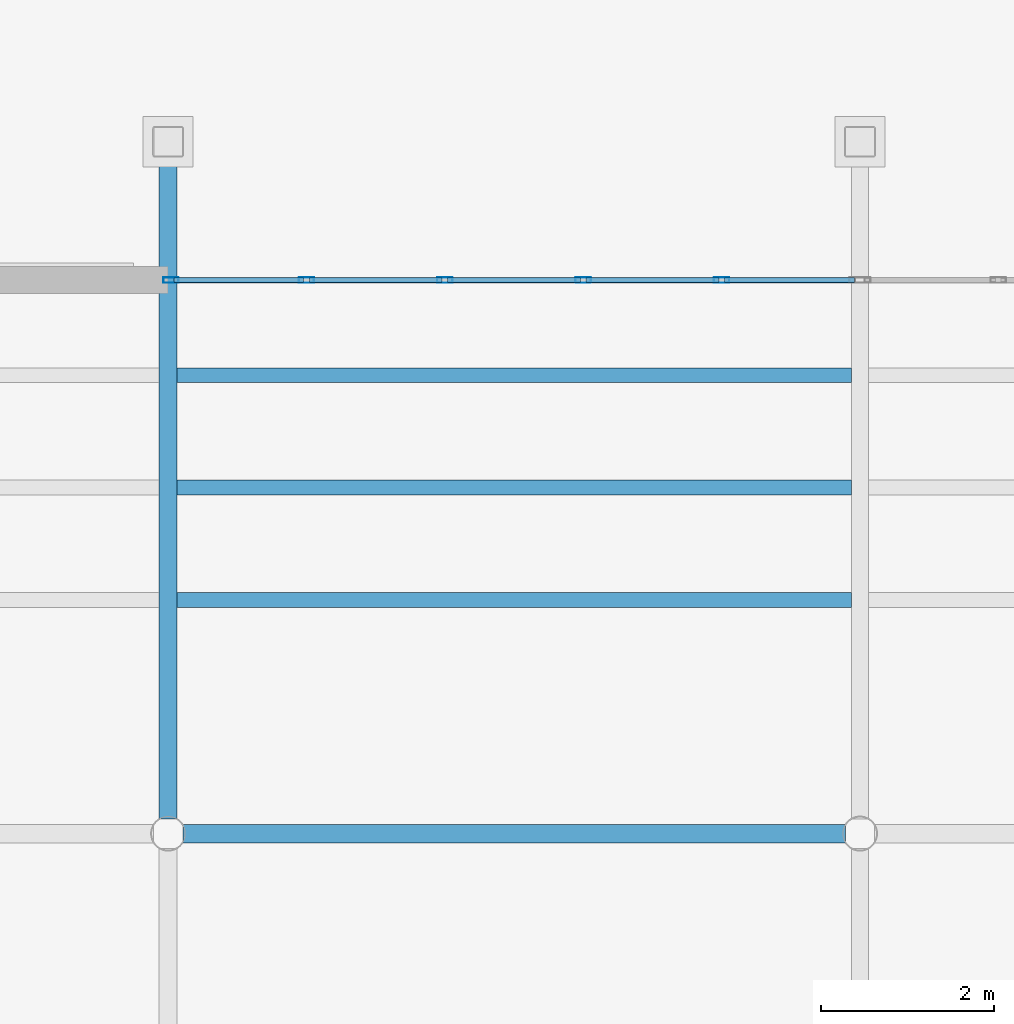
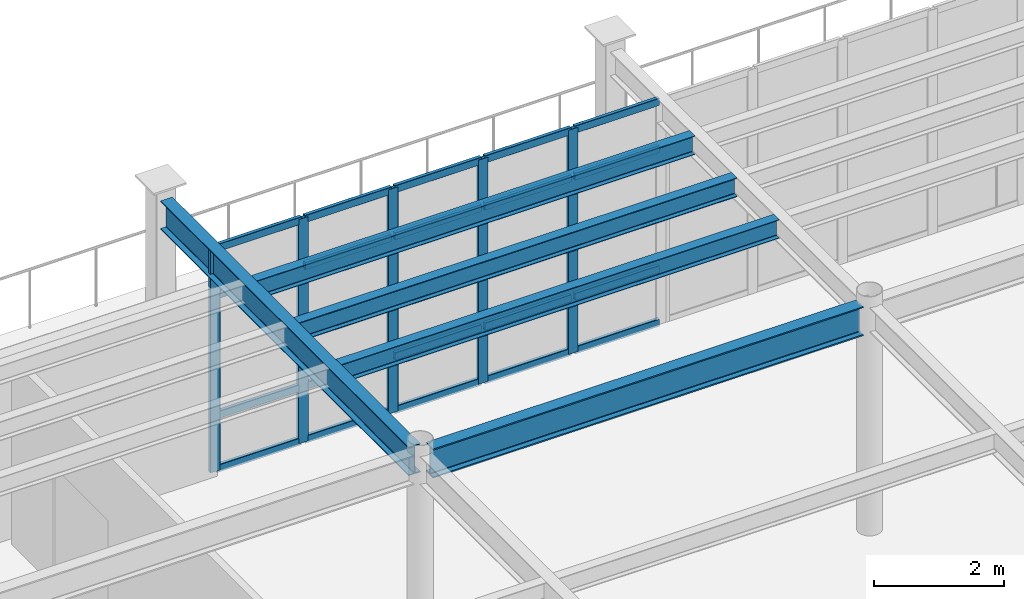
# One storey, part 30 of 111: 25 members, 5 beams, 1 element without a shape of its own.
"""IFC4 building model written with IfcOpenShell, lengths in metres."""

from ifc_helpers import new_model, si_unit, direction, frame, origin, origin_2d, place, context, subcontext, project, spatial, hollow_rectangle, i_section, extrude, material, material_profile, profile_set, type_object, element, aggregate, save


model = new_model("IFC4")

# Units and contexts
model_context = context("Model", 3, precision=1e-05, world=origin(), true_north=direction((0.0, 1.0)))
body_context = subcontext(model_context, "Body", "Model", "MODEL_VIEW")
ifc_project = project(units=[si_unit("LENGTHUNIT", "METRE"), si_unit("AREAUNIT", "SQUARE_METRE"), si_unit("VOLUMEUNIT", "CUBIC_METRE"), si_unit("PLANEANGLEUNIT", "RADIAN"), si_unit("MASSUNIT", "GRAM", prefix="KILO")], contexts=[model_context])

# Site, building, storey
site_placement = place(None, origin())
site = spatial("IfcSite", under=ifc_project, at=site_placement, CompositionType="ELEMENT")
building_placement = place(site_placement, origin())
building = spatial("IfcBuilding", under=site, at=building_placement, Name="Solmirada Galleria", CompositionType="ELEMENT")
storey_placement = place(building_placement, frame((0.0, 0.0, 10.39990234375)))
storey = spatial("IfcBuildingStorey", under=building, at=storey_placement, Name="L02", CompositionType="ELEMENT", Elevation=10.39990234375)

# Beams
ifc_material_1 = material(Name="Steel S355 / ASTM A992 Grade 50", Category="steel")
ifc_material_profile_1 = material_profile(ifc_material_1, i_section(OverallWidth=0.214111328125, OverallDepth=0.549072265625, WebThickness=0.0146484375, FlangeThickness=0.023681640625, FilletRadius=0.014892578125, at=origin_2d()), Name="W21X93")
ifc_profile_set_1 = profile_set([ifc_material_profile_1], Name="Steel S355 / ASTM A992 Grade 50")
beam_type_1 = type_object("IfcBeamType", Name="BM-GIRD-W21A", PredefinedType="BEAM", material=ifc_profile_set_1)
beam_1_placement = place(storey_placement, frame((128.17041015625, 32.0, 4.025634765625), z_axis=(1.0, 0.0, 0.0), x_axis=(0.0, 1.0, 0.0)))
element("IfcBeam", 1, at=beam_1_placement, inside=storey, type_object=beam_type_1, Name="Primary beam L03 X(128..136, 32)", PredefinedType="BEAM", context=body_context, shape_type="SweptSolid", body=[
    extrude(i_section(OverallWidth=0.214111328125, OverallDepth=0.549072265625, WebThickness=0.0146484375, FlangeThickness=0.023681640625, FilletRadius=0.014892578125, at=origin_2d()), origin(), (0.0, 0.0, 1.0), 7.6591796875),
])
ifc_material_profile_2 = material_profile(ifc_material_1, i_section(OverallWidth=0.2099609375, OverallDepth=0.537109375, WebThickness=0.010986328125, FlangeThickness=0.017333984375, FilletRadius=0.014892578125, at=origin_2d()), Name="W21X68")
ifc_profile_set_2 = profile_set([ifc_material_profile_2], Name="Steel S355 / ASTM A992 Grade 50")
beam_type_2 = type_object("IfcBeamType", Name="BM-GIRD-W21B", PredefinedType="BEAM", material=ifc_profile_set_2)
beam_2_placement = place(storey_placement, frame((128.0, 32.17041015625, 3.99169921875), z_axis=(0.0, 1.0, 0.0), x_axis=(-1.0, 0.0, 0.0)))
element("IfcBeam", 2, at=beam_2_placement, inside=storey, type_object=beam_type_2, Name="Primary girder L03 Y(128, 32..40)", PredefinedType="BEAM", context=body_context, shape_type="SweptSolid", body=[
    extrude(i_section(OverallWidth=0.2099609375, OverallDepth=0.537109375, WebThickness=0.010986328125, FlangeThickness=0.017333984375, FilletRadius=0.014892578125, at=origin_2d()), origin(), (0.0, 0.0, 1.0), 7.651611328125),
])
ifc_material_profile_3 = material_profile(ifc_material_1, i_section(OverallWidth=0.172119140625, OverallDepth=0.35791015625, WebThickness=0.0078125, FlangeThickness=0.01318359375, FilletRadius=0.011962890625, at=origin_2d()), Name="W14X38")
ifc_profile_set_3 = profile_set([ifc_material_profile_3], Name="Steel S355 / ASTM A992 Grade 50")
beam_type_3 = type_object("IfcBeamType", Name="BM-JST-W14A", PredefinedType="JOIST", material=ifc_profile_set_3)
beam_3_placement = place(storey_placement, frame((128.10498046875, 36.0, 4.0810546875), z_axis=(1.0, 0.0, 0.0), x_axis=(0.0, 1.0, 0.0)))
element("IfcBeam", 3, at=beam_3_placement, inside=storey, type_object=beam_type_3, Name="Composite floor joist L03 (128..136, 36.0)", PredefinedType="JOIST", context=body_context, shape_type="SweptSolid", body=[
    extrude(i_section(OverallWidth=0.172119140625, OverallDepth=0.35791015625, WebThickness=0.0078125, FlangeThickness=0.01318359375, FilletRadius=0.011962890625, at=origin_2d()), origin(), (0.0, 0.0, 1.0), 7.798095703125),
])
ifc_material_profile_4 = material_profile(ifc_material_1, i_section(OverallWidth=0.1708984375, OverallDepth=0.35205078125, WebThickness=0.0068359375, FlangeThickness=0.009765625, FilletRadius=0.010986328125, at=origin_2d()), Name="W14X30")
ifc_profile_set_4 = profile_set([ifc_material_profile_4], Name="Steel S355 / ASTM A992 Grade 50")
beam_type_4 = type_object("IfcBeamType", Name="BM-JST-W14B", PredefinedType="JOIST", material=ifc_profile_set_4)
for number, where, z_axis, x_axis, name in (
    (4, (128.10498046875, 34.699951171875, 4.083984375), (1.0, 0.0, 0.0), (0.0, 1.0, 0.0), "Terrace deck joist L03-TERR-SE X=128..136 (1)"),
    (5, (128.10498046875, 37.300048828125, 4.083984375), (1.0, 0.0, 0.0), (0.0, 1.0, 0.0), "Terrace deck joist L03-TERR-SE X=128..136 (2)"),
):
    element("IfcBeam", number, at=place(storey_placement, frame(where, z_axis=z_axis, x_axis=x_axis)), inside=storey, type_object=beam_type_4, Name=name, PredefinedType="JOIST", context=body_context, shape_type="SweptSolid", body=[
        extrude(i_section(OverallWidth=0.1708984375, OverallDepth=0.35205078125, WebThickness=0.0068359375, FlangeThickness=0.009765625, FilletRadius=0.010986328125, at=origin_2d()), origin(), (0.0, 0.0, 1.0), 7.798095703125),
    ])

# Curtain wall, members
ifc_material_2 = material(Name="Impact-resistant low-E double glazing", Category="glass")
curtain_wall_type = type_object("IfcCurtainWallType", Name="CW-FZ5-L02-B5-L080", PredefinedType="NOTDEFINED", material=ifc_material_2)
curtain_wall_placement = place(storey_placement, origin())
curtain_wall = element("IfcCurtainWall", 6, at=curtain_wall_placement, inside=storey, type_object=curtain_wall_type, Name="Terrace and arcade storefront CW-L02-114", PredefinedType="NOTDEFINED")
ifc_material_3 = material(Name="Anodised aluminium framing", Category="aluminium")
ifc_material_profile_5 = material_profile(ifc_material_3, hollow_rectangle(XDim=0.06494140625, YDim=0.179931640625, WallThickness=0.00390625, InnerFilletRadius=0.00390625, OuterFilletRadius=0.008056640625, at=origin_2d()), Name="ALU-MULL-180X65")
ifc_profile_set_5 = profile_set([ifc_material_profile_5], Name="Anodised aluminium framing")
member_type_1 = type_object("IfcMemberType", Name="CW-MULL-180", PredefinedType="MULLION", material=ifc_profile_set_5)
member_1_placement = place(storey_placement, frame((128.032470703125, 38.39990234375, 0.0), z_axis=(0.0, 0.0, 1.0), x_axis=(0.0, 1.0, 0.0)))
member_1 = element("IfcMember", 7, at=member_1_placement, type_object=member_type_1, Name="CW25 mullion 1", PredefinedType="MULLION", context=body_context, shape_type="SweptSolid", body=[
    extrude(hollow_rectangle(XDim=0.06494140625, YDim=0.179931640625, WallThickness=0.00390625, InnerFilletRadius=0.00390625, OuterFilletRadius=0.008056640625, at=origin_2d()), origin(), (0.0, 0.0, 1.0), 4.22021484375),
])
member_2_placement = place(storey_placement, frame((129.60009765625, 38.39990234375, 0.0), z_axis=(0.0, 0.0, 1.0), x_axis=(0.0, 1.0, 0.0)))
member_2 = element("IfcMember", 8, at=member_2_placement, type_object=member_type_1, Name="CW25 mullion 2", PredefinedType="MULLION", context=body_context, shape_type="SweptSolid", body=[
    extrude(hollow_rectangle(XDim=0.06494140625, YDim=0.179931640625, WallThickness=0.00390625, InnerFilletRadius=0.00390625, OuterFilletRadius=0.008056640625, at=origin_2d()), origin(), (0.0, 0.0, 1.0), 4.22021484375),
])
member_3_placement = place(storey_placement, frame((131.199951171875, 38.39990234375, 0.0), z_axis=(0.0, 0.0, 1.0), x_axis=(0.0, 1.0, 0.0)))
member_3 = element("IfcMember", 9, at=member_3_placement, type_object=member_type_1, Name="CW25 mullion 3", PredefinedType="MULLION", context=body_context, shape_type="SweptSolid", body=[
    extrude(hollow_rectangle(XDim=0.06494140625, YDim=0.179931640625, WallThickness=0.00390625, InnerFilletRadius=0.00390625, OuterFilletRadius=0.008056640625, at=origin_2d()), origin(), (0.0, 0.0, 1.0), 4.22021484375),
])
member_4_placement = place(storey_placement, frame((132.800048828125, 38.39990234375, 0.0), z_axis=(0.0, 0.0, 1.0), x_axis=(0.0, 1.0, 0.0)))
member_4 = element("IfcMember", 10, at=member_4_placement, type_object=member_type_1, Name="CW25 mullion 4", PredefinedType="MULLION", context=body_context, shape_type="SweptSolid", body=[
    extrude(hollow_rectangle(XDim=0.06494140625, YDim=0.179931640625, WallThickness=0.00390625, InnerFilletRadius=0.00390625, OuterFilletRadius=0.008056640625, at=origin_2d()), origin(), (0.0, 0.0, 1.0), 4.22021484375),
])
member_5_placement = place(storey_placement, frame((134.39990234375, 38.39990234375, 0.0), z_axis=(0.0, 0.0, 1.0), x_axis=(0.0, 1.0, 0.0)))
member_5 = element("IfcMember", 11, at=member_5_placement, type_object=member_type_1, Name="CW25 mullion 5", PredefinedType="MULLION", context=body_context, shape_type="SweptSolid", body=[
    extrude(hollow_rectangle(XDim=0.06494140625, YDim=0.179931640625, WallThickness=0.00390625, InnerFilletRadius=0.00390625, OuterFilletRadius=0.008056640625, at=origin_2d()), origin(), (0.0, 0.0, 1.0), 4.22021484375),
])
ifc_material_profile_6 = material_profile(ifc_material_3, hollow_rectangle(XDim=0.06494140625, YDim=0.139892578125, WallThickness=0.00341796875, InnerFilletRadius=0.00341796875, OuterFilletRadius=0.007080078125, at=origin_2d()), Name="ALU-TRAN-140X65")
ifc_profile_set_6 = profile_set([ifc_material_profile_6], Name="Anodised aluminium framing")
member_type_2 = type_object("IfcMemberType", Name="CW-TRAN-140", PredefinedType="USERDEFINED", material=ifc_profile_set_6)
member_6_placement = place(storey_placement, frame((128.06494140625, 38.39990234375, 0.03271484375), z_axis=(1.0, 0.0, 0.0), x_axis=(0.0, 1.0, 0.0)))
member_6 = element("IfcMember", 12, at=member_6_placement, type_object=member_type_2, Name="CW25 transom 1.1", ObjectType="TRANSOM", PredefinedType="USERDEFINED", context=body_context, shape_type="SweptSolid", body=[
    extrude(hollow_rectangle(XDim=0.06494140625, YDim=0.139892578125, WallThickness=0.00341796875, InnerFilletRadius=0.00341796875, OuterFilletRadius=0.007080078125, at=origin_2d()), origin(), (0.0, 0.0, 1.0), 1.50244140625),
])
member_7_placement = place(storey_placement, frame((128.06494140625, 38.39990234375, 1.0400390625), z_axis=(1.0, 0.0, 0.0), x_axis=(0.0, 1.0, 0.0)))
member_7 = element("IfcMember", 13, at=member_7_placement, type_object=member_type_2, Name="CW25 transom 1.2", ObjectType="TRANSOM", PredefinedType="USERDEFINED", context=body_context, shape_type="SweptSolid", body=[
    extrude(hollow_rectangle(XDim=0.06494140625, YDim=0.139892578125, WallThickness=0.00341796875, InnerFilletRadius=0.00341796875, OuterFilletRadius=0.007080078125, at=origin_2d()), origin(), (0.0, 0.0, 1.0), 1.50244140625),
])
member_8_placement = place(storey_placement, frame((128.06494140625, 38.39990234375, 3.300048828125), z_axis=(1.0, 0.0, 0.0), x_axis=(0.0, 1.0, 0.0)))
member_8 = element("IfcMember", 14, at=member_8_placement, type_object=member_type_2, Name="CW25 transom 1.3", ObjectType="TRANSOM", PredefinedType="USERDEFINED", context=body_context, shape_type="SweptSolid", body=[
    extrude(hollow_rectangle(XDim=0.06494140625, YDim=0.139892578125, WallThickness=0.00341796875, InnerFilletRadius=0.00341796875, OuterFilletRadius=0.007080078125, at=origin_2d()), origin(), (0.0, 0.0, 1.0), 1.50244140625),
])
member_9_placement = place(storey_placement, frame((128.06494140625, 38.39990234375, 4.1875), z_axis=(1.0, 0.0, 0.0), x_axis=(0.0, 1.0, 0.0)))
member_9 = element("IfcMember", 15, at=member_9_placement, type_object=member_type_2, Name="CW25 transom 1.4", ObjectType="TRANSOM", PredefinedType="USERDEFINED", context=body_context, shape_type="SweptSolid", body=[
    extrude(hollow_rectangle(XDim=0.06494140625, YDim=0.139892578125, WallThickness=0.00341796875, InnerFilletRadius=0.00341796875, OuterFilletRadius=0.007080078125, at=origin_2d()), origin(), (0.0, 0.0, 1.0), 1.50244140625),
])
member_10_placement = place(storey_placement, frame((129.632568359375, 38.39990234375, 0.03271484375), z_axis=(1.0, 0.0, 0.0), x_axis=(0.0, 1.0, 0.0)))
member_10 = element("IfcMember", 16, at=member_10_placement, type_object=member_type_2, Name="CW25 transom 2.1", ObjectType="TRANSOM", PredefinedType="USERDEFINED", context=body_context, shape_type="SweptSolid", body=[
    extrude(hollow_rectangle(XDim=0.06494140625, YDim=0.139892578125, WallThickness=0.00341796875, InnerFilletRadius=0.00341796875, OuterFilletRadius=0.007080078125, at=origin_2d()), origin(), (0.0, 0.0, 1.0), 1.534912109375),
])
member_11_placement = place(storey_placement, frame((129.632568359375, 38.39990234375, 1.0400390625), z_axis=(1.0, 0.0, 0.0), x_axis=(0.0, 1.0, 0.0)))
member_11 = element("IfcMember", 17, at=member_11_placement, type_object=member_type_2, Name="CW25 transom 2.2", ObjectType="TRANSOM", PredefinedType="USERDEFINED", context=body_context, shape_type="SweptSolid", body=[
    extrude(hollow_rectangle(XDim=0.06494140625, YDim=0.139892578125, WallThickness=0.00341796875, InnerFilletRadius=0.00341796875, OuterFilletRadius=0.007080078125, at=origin_2d()), origin(), (0.0, 0.0, 1.0), 1.534912109375),
])
member_12_placement = place(storey_placement, frame((129.632568359375, 38.39990234375, 3.300048828125), z_axis=(1.0, 0.0, 0.0), x_axis=(0.0, 1.0, 0.0)))
member_12 = element("IfcMember", 18, at=member_12_placement, type_object=member_type_2, Name="CW25 transom 2.3", ObjectType="TRANSOM", PredefinedType="USERDEFINED", context=body_context, shape_type="SweptSolid", body=[
    extrude(hollow_rectangle(XDim=0.06494140625, YDim=0.139892578125, WallThickness=0.00341796875, InnerFilletRadius=0.00341796875, OuterFilletRadius=0.007080078125, at=origin_2d()), origin(), (0.0, 0.0, 1.0), 1.534912109375),
])
member_13_placement = place(storey_placement, frame((129.632568359375, 38.39990234375, 4.1875), z_axis=(1.0, 0.0, 0.0), x_axis=(0.0, 1.0, 0.0)))
member_13 = element("IfcMember", 19, at=member_13_placement, type_object=member_type_2, Name="CW25 transom 2.4", ObjectType="TRANSOM", PredefinedType="USERDEFINED", context=body_context, shape_type="SweptSolid", body=[
    extrude(hollow_rectangle(XDim=0.06494140625, YDim=0.139892578125, WallThickness=0.00341796875, InnerFilletRadius=0.00341796875, OuterFilletRadius=0.007080078125, at=origin_2d()), origin(), (0.0, 0.0, 1.0), 1.534912109375),
])
member_14_placement = place(storey_placement, frame((131.232421875, 38.39990234375, 0.03271484375), z_axis=(1.0, 0.0, 0.0), x_axis=(0.0, 1.0, 0.0)))
member_14 = element("IfcMember", 20, at=member_14_placement, type_object=member_type_2, Name="CW25 transom 3.1", ObjectType="TRANSOM", PredefinedType="USERDEFINED", context=body_context, shape_type="SweptSolid", body=[
    extrude(hollow_rectangle(XDim=0.06494140625, YDim=0.139892578125, WallThickness=0.00341796875, InnerFilletRadius=0.00341796875, OuterFilletRadius=0.007080078125, at=origin_2d()), origin(), (0.0, 0.0, 1.0), 1.53515625),
])
member_15_placement = place(storey_placement, frame((131.232421875, 38.39990234375, 1.0400390625), z_axis=(1.0, 0.0, 0.0), x_axis=(0.0, 1.0, 0.0)))
member_15 = element("IfcMember", 21, at=member_15_placement, type_object=member_type_2, Name="CW25 transom 3.2", ObjectType="TRANSOM", PredefinedType="USERDEFINED", context=body_context, shape_type="SweptSolid", body=[
    extrude(hollow_rectangle(XDim=0.06494140625, YDim=0.139892578125, WallThickness=0.00341796875, InnerFilletRadius=0.00341796875, OuterFilletRadius=0.007080078125, at=origin_2d()), origin(), (0.0, 0.0, 1.0), 1.53515625),
])
member_16_placement = place(storey_placement, frame((131.232421875, 38.39990234375, 3.300048828125), z_axis=(1.0, 0.0, 0.0), x_axis=(0.0, 1.0, 0.0)))
member_16 = element("IfcMember", 22, at=member_16_placement, type_object=member_type_2, Name="CW25 transom 3.3", ObjectType="TRANSOM", PredefinedType="USERDEFINED", context=body_context, shape_type="SweptSolid", body=[
    extrude(hollow_rectangle(XDim=0.06494140625, YDim=0.139892578125, WallThickness=0.00341796875, InnerFilletRadius=0.00341796875, OuterFilletRadius=0.007080078125, at=origin_2d()), origin(), (0.0, 0.0, 1.0), 1.53515625),
])
member_17_placement = place(storey_placement, frame((131.232421875, 38.39990234375, 4.1875), z_axis=(1.0, 0.0, 0.0), x_axis=(0.0, 1.0, 0.0)))
member_17 = element("IfcMember", 23, at=member_17_placement, type_object=member_type_2, Name="CW25 transom 3.4", ObjectType="TRANSOM", PredefinedType="USERDEFINED", context=body_context, shape_type="SweptSolid", body=[
    extrude(hollow_rectangle(XDim=0.06494140625, YDim=0.139892578125, WallThickness=0.00341796875, InnerFilletRadius=0.00341796875, OuterFilletRadius=0.007080078125, at=origin_2d()), origin(), (0.0, 0.0, 1.0), 1.53515625),
])
member_18_placement = place(storey_placement, frame((132.83251953125, 38.39990234375, 0.03271484375), z_axis=(1.0, 0.0, 0.0), x_axis=(0.0, 1.0, 0.0)))
member_18 = element("IfcMember", 24, at=member_18_placement, type_object=member_type_2, Name="CW25 transom 4.1", ObjectType="TRANSOM", PredefinedType="USERDEFINED", context=body_context, shape_type="SweptSolid", body=[
    extrude(hollow_rectangle(XDim=0.06494140625, YDim=0.139892578125, WallThickness=0.00341796875, InnerFilletRadius=0.00341796875, OuterFilletRadius=0.007080078125, at=origin_2d()), origin(), (0.0, 0.0, 1.0), 1.534912109375),
])
member_19_placement = place(storey_placement, frame((132.83251953125, 38.39990234375, 1.0400390625), z_axis=(1.0, 0.0, 0.0), x_axis=(0.0, 1.0, 0.0)))
member_19 = element("IfcMember", 25, at=member_19_placement, type_object=member_type_2, Name="CW25 transom 4.2", ObjectType="TRANSOM", PredefinedType="USERDEFINED", context=body_context, shape_type="SweptSolid", body=[
    extrude(hollow_rectangle(XDim=0.06494140625, YDim=0.139892578125, WallThickness=0.00341796875, InnerFilletRadius=0.00341796875, OuterFilletRadius=0.007080078125, at=origin_2d()), origin(), (0.0, 0.0, 1.0), 1.534912109375),
])
member_20_placement = place(storey_placement, frame((132.83251953125, 38.39990234375, 3.300048828125), z_axis=(1.0, 0.0, 0.0), x_axis=(0.0, 1.0, 0.0)))
member_20 = element("IfcMember", 26, at=member_20_placement, type_object=member_type_2, Name="CW25 transom 4.3", ObjectType="TRANSOM", PredefinedType="USERDEFINED", context=body_context, shape_type="SweptSolid", body=[
    extrude(hollow_rectangle(XDim=0.06494140625, YDim=0.139892578125, WallThickness=0.00341796875, InnerFilletRadius=0.00341796875, OuterFilletRadius=0.007080078125, at=origin_2d()), origin(), (0.0, 0.0, 1.0), 1.534912109375),
])
member_21_placement = place(storey_placement, frame((132.83251953125, 38.39990234375, 4.1875), z_axis=(1.0, 0.0, 0.0), x_axis=(0.0, 1.0, 0.0)))
member_21 = element("IfcMember", 27, at=member_21_placement, type_object=member_type_2, Name="CW25 transom 4.4", ObjectType="TRANSOM", PredefinedType="USERDEFINED", context=body_context, shape_type="SweptSolid", body=[
    extrude(hollow_rectangle(XDim=0.06494140625, YDim=0.139892578125, WallThickness=0.00341796875, InnerFilletRadius=0.00341796875, OuterFilletRadius=0.007080078125, at=origin_2d()), origin(), (0.0, 0.0, 1.0), 1.534912109375),
])
member_22_placement = place(storey_placement, frame((134.4326171875, 38.39990234375, 0.03271484375), z_axis=(1.0, 0.0, 0.0), x_axis=(0.0, 1.0, 0.0)))
member_22 = element("IfcMember", 28, at=member_22_placement, type_object=member_type_2, Name="CW25 transom 5.1", ObjectType="TRANSOM", PredefinedType="USERDEFINED", context=body_context, shape_type="SweptSolid", body=[
    extrude(hollow_rectangle(XDim=0.06494140625, YDim=0.139892578125, WallThickness=0.00341796875, InnerFilletRadius=0.00341796875, OuterFilletRadius=0.007080078125, at=origin_2d()), origin(), (0.0, 0.0, 1.0), 1.50244140625),
])
member_23_placement = place(storey_placement, frame((134.4326171875, 38.39990234375, 1.0400390625), z_axis=(1.0, 0.0, 0.0), x_axis=(0.0, 1.0, 0.0)))
member_23 = element("IfcMember", 29, at=member_23_placement, type_object=member_type_2, Name="CW25 transom 5.2", ObjectType="TRANSOM", PredefinedType="USERDEFINED", context=body_context, shape_type="SweptSolid", body=[
    extrude(hollow_rectangle(XDim=0.06494140625, YDim=0.139892578125, WallThickness=0.00341796875, InnerFilletRadius=0.00341796875, OuterFilletRadius=0.007080078125, at=origin_2d()), origin(), (0.0, 0.0, 1.0), 1.50244140625),
])
member_24_placement = place(storey_placement, frame((134.4326171875, 38.39990234375, 3.300048828125), z_axis=(1.0, 0.0, 0.0), x_axis=(0.0, 1.0, 0.0)))
member_24 = element("IfcMember", 30, at=member_24_placement, type_object=member_type_2, Name="CW25 transom 5.3", ObjectType="TRANSOM", PredefinedType="USERDEFINED", context=body_context, shape_type="SweptSolid", body=[
    extrude(hollow_rectangle(XDim=0.06494140625, YDim=0.139892578125, WallThickness=0.00341796875, InnerFilletRadius=0.00341796875, OuterFilletRadius=0.007080078125, at=origin_2d()), origin(), (0.0, 0.0, 1.0), 1.50244140625),
])
member_25_placement = place(storey_placement, frame((134.4326171875, 38.39990234375, 4.1875), z_axis=(1.0, 0.0, 0.0), x_axis=(0.0, 1.0, 0.0)))
member_25 = element("IfcMember", 31, at=member_25_placement, type_object=member_type_2, Name="CW25 transom 5.4", ObjectType="TRANSOM", PredefinedType="USERDEFINED", context=body_context, shape_type="SweptSolid", body=[
    extrude(hollow_rectangle(XDim=0.06494140625, YDim=0.139892578125, WallThickness=0.00341796875, InnerFilletRadius=0.00341796875, OuterFilletRadius=0.007080078125, at=origin_2d()), origin(), (0.0, 0.0, 1.0), 1.50244140625),
])
aggregate(curtain_wall, [member_1, member_2, member_3, member_4, member_5, member_6, member_7, member_8, member_9, member_10, member_11, member_12, member_13, member_14, member_15, member_16, member_17, member_18, member_19, member_20, member_21, member_22, member_23, member_24, member_25])

save(model, "model.ifc")
